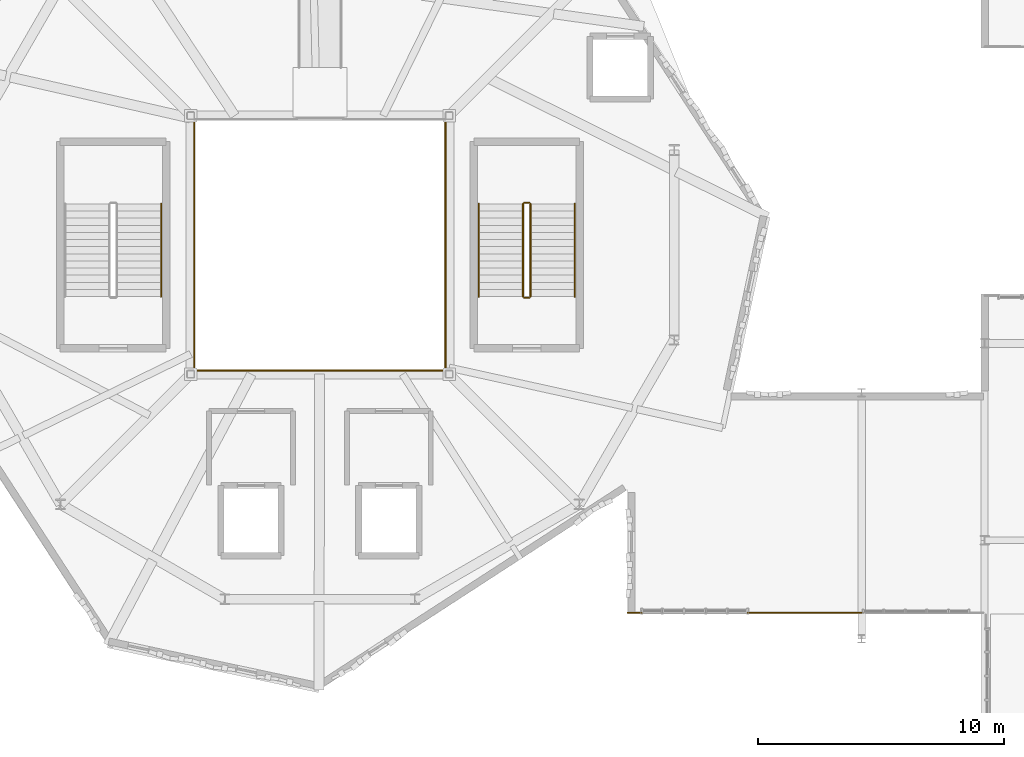
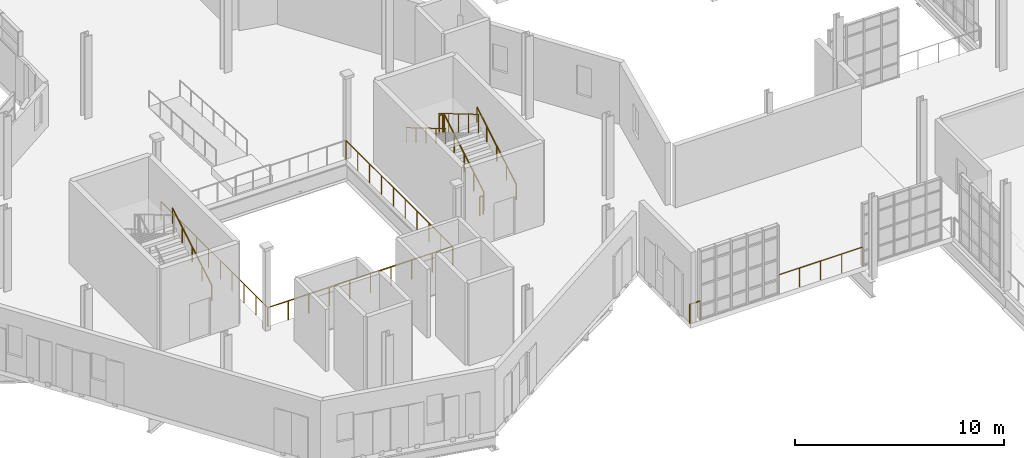
# One storey, part 113 of 118: 12 railings.
"""IFC4 building model written with IfcOpenShell, lengths in metres."""

from ifc_helpers import new_model, si_unit, direction, frame, origin, origin_2d, place, context, subcontext, project, spatial, circle, extrude, material, type_object, element, save


model = new_model("IFC4")

# Units and contexts
model_context = context("Model", 3, precision=1e-05, world=origin(), true_north=direction((0.0, 1.0)))
body_context = subcontext(model_context, "Body", "Model", "MODEL_VIEW")
ifc_project = project(units=[si_unit("LENGTHUNIT", "METRE"), si_unit("AREAUNIT", "SQUARE_METRE"), si_unit("VOLUMEUNIT", "CUBIC_METRE"), si_unit("PLANEANGLEUNIT", "RADIAN"), si_unit("MASSUNIT", "GRAM", prefix="KILO"), si_unit("THERMODYNAMICTEMPERATUREUNIT", "KELVIN"), si_unit("POWERUNIT", "WATT")], contexts=[model_context])

# Site, building, storey
site_placement = place(None, origin())
site = spatial("IfcSite", under=ifc_project, at=site_placement, CompositionType="ELEMENT")
building_placement = place(site_placement, origin())
building = spatial("IfcBuilding", under=site, at=building_placement, Name="Zelmaris Science Centre", CompositionType="ELEMENT")
storey_placement = place(building_placement, frame((0.0, 0.0, 15.60009765625)))
storey = spatial("IfcBuildingStorey", under=building, at=storey_placement, Name="L03", CompositionType="ELEMENT", Elevation=15.60009765625)

# Railings
ifc_material = material(Name="Architectural bronze alloy C28000")
railing_type_1 = type_object("IfcRailingType", Name="Balustrade GD-01 H1120", PredefinedType="BALUSTRADE", material=ifc_material)
railing_1_placement = place(storey_placement, frame((75.89990234375, 30.89990234375, 0.0)))
element("IfcRailing", 1, at=railing_1_placement, inside=storey, type_object=railing_type_1, Name="L03 Atrium void balustrade 31", PredefinedType="BALUSTRADE", context=body_context, shape_type="SweptSolid", body=[
    extrude(circle(Radius=0.02392578125, at=origin_2d()), frame((0.0, 0.0, 1.09619140625), z_axis=(1.0, 0.0, 0.0), x_axis=(0.0, 1.0, 0.0)), (0.0, 0.0, 1.0), 10.2001953125),
    extrude(circle(Radius=0.02099609375, at=origin_2d()), origin(), (0.0, 0.0, 1.0), 1.072021484375),
    extrude(circle(Radius=0.02099609375, at=origin_2d()), frame((1.13330078125, 0.0, 0.0)), (0.0, 0.0, 1.0), 1.072021484375),
    extrude(circle(Radius=0.02099609375, at=origin_2d()), frame((2.2666015625, 0.0, 0.0)), (0.0, 0.0, 1.0), 1.072021484375),
    extrude(circle(Radius=0.02099609375, at=origin_2d()), frame((3.400146484375, 0.0, 0.0)), (0.0, 0.0, 1.0), 1.072021484375),
    extrude(circle(Radius=0.02099609375, at=origin_2d()), frame((4.533447265625, 0.0, 0.0)), (0.0, 0.0, 1.0), 1.072021484375),
    extrude(circle(Radius=0.02099609375, at=origin_2d()), frame((5.666748046875, 0.0, 0.0)), (0.0, 0.0, 1.0), 1.072021484375),
    extrude(circle(Radius=0.02099609375, at=origin_2d()), frame((6.800048828125, 0.0, 0.0)), (0.0, 0.0, 1.0), 1.072021484375),
    extrude(circle(Radius=0.02099609375, at=origin_2d()), frame((7.93359375, 0.0, 0.0)), (0.0, 0.0, 1.0), 1.072021484375),
    extrude(circle(Radius=0.02099609375, at=origin_2d()), frame((9.06689453125, 0.0, 0.0)), (0.0, 0.0, 1.0), 1.072021484375),
    extrude(circle(Radius=0.02099609375, at=origin_2d()), frame((10.2001953125, 0.0, 0.0)), (0.0, 0.0, 1.0), 1.072021484375),
])
railing_2_placement = place(storey_placement, frame((86.10009765625, 30.89990234375, 0.0)))
element("IfcRailing", 2, at=railing_2_placement, inside=storey, type_object=railing_type_1, Name="L03 Atrium void balustrade 32", PredefinedType="BALUSTRADE", context=body_context, shape_type="SweptSolid", body=[
    extrude(circle(Radius=0.02392578125, at=origin_2d()), frame((0.0, 0.0, 1.09619140625), z_axis=(0.0, 1.0, 0.0), x_axis=(-1.0, 0.0, 0.0)), (0.0, 0.0, 1.0), 10.2001953125),
    extrude(circle(Radius=0.02099609375, at=origin_2d()), origin(), (0.0, 0.0, 1.0), 1.072021484375),
    extrude(circle(Radius=0.02099609375, at=origin_2d()), frame((0.0, 1.13330078125, 0.0)), (0.0, 0.0, 1.0), 1.072021484375),
    extrude(circle(Radius=0.02099609375, at=origin_2d()), frame((0.0, 2.2666015625, 0.0)), (0.0, 0.0, 1.0), 1.072021484375),
    extrude(circle(Radius=0.02099609375, at=origin_2d()), frame((0.0, 3.400146484375, 0.0)), (0.0, 0.0, 1.0), 1.072021484375),
    extrude(circle(Radius=0.02099609375, at=origin_2d()), frame((0.0, 4.533447265625, 0.0)), (0.0, 0.0, 1.0), 1.072021484375),
    extrude(circle(Radius=0.02099609375, at=origin_2d()), frame((0.0, 5.666748046875, 0.0)), (0.0, 0.0, 1.0), 1.072021484375),
    extrude(circle(Radius=0.02099609375, at=origin_2d()), frame((0.0, 6.800048828125, 0.0)), (0.0, 0.0, 1.0), 1.072021484375),
    extrude(circle(Radius=0.02099609375, at=origin_2d()), frame((0.0, 7.93359375, 0.0)), (0.0, 0.0, 1.0), 1.072021484375),
    extrude(circle(Radius=0.02099609375, at=origin_2d()), frame((0.0, 9.06689453125, 0.0)), (0.0, 0.0, 1.0), 1.072021484375),
    extrude(circle(Radius=0.02099609375, at=origin_2d()), frame((0.0, 10.2001953125, 0.0)), (0.0, 0.0, 1.0), 1.072021484375),
])
railing_3_placement = place(storey_placement, frame((75.89990234375, 41.10009765625, 0.0)))
element("IfcRailing", 3, at=railing_3_placement, inside=storey, type_object=railing_type_1, Name="L03 Atrium void balustrade 35", PredefinedType="BALUSTRADE", context=body_context, shape_type="SweptSolid", body=[
    extrude(circle(Radius=0.02392578125, at=origin_2d()), frame((0.0, 0.0, 1.09619140625), z_axis=(0.0, -1.0, 0.0), x_axis=(1.0, 0.0, 0.0)), (0.0, 0.0, 1.0), 10.2001953125),
    extrude(circle(Radius=0.02099609375, at=origin_2d()), origin(), (0.0, 0.0, 1.0), 1.072021484375),
    extrude(circle(Radius=0.02099609375, at=origin_2d()), frame((0.0, -1.13330078125, 0.0)), (0.0, 0.0, 1.0), 1.072021484375),
    extrude(circle(Radius=0.02099609375, at=origin_2d()), frame((0.0, -2.2666015625, 0.0)), (0.0, 0.0, 1.0), 1.072021484375),
    extrude(circle(Radius=0.02099609375, at=origin_2d()), frame((0.0, -3.400146484375, 0.0)), (0.0, 0.0, 1.0), 1.072021484375),
    extrude(circle(Radius=0.02099609375, at=origin_2d()), frame((0.0, -4.533447265625, 0.0)), (0.0, 0.0, 1.0), 1.072021484375),
    extrude(circle(Radius=0.02099609375, at=origin_2d()), frame((0.0, -5.666748046875, 0.0)), (0.0, 0.0, 1.0), 1.072021484375),
    extrude(circle(Radius=0.02099609375, at=origin_2d()), frame((0.0, -6.800048828125, 0.0)), (0.0, 0.0, 1.0), 1.072021484375),
    extrude(circle(Radius=0.02099609375, at=origin_2d()), frame((0.0, -7.93359375, 0.0)), (0.0, 0.0, 1.0), 1.072021484375),
    extrude(circle(Radius=0.02099609375, at=origin_2d()), frame((0.0, -9.06689453125, 0.0)), (0.0, 0.0, 1.0), 1.072021484375),
    extrude(circle(Radius=0.02099609375, at=origin_2d()), frame((0.0, -10.2001953125, 0.0)), (0.0, 0.0, 1.0), 1.072021484375),
])
railing_4_placement = place(storey_placement, frame((103.056640625, 21.06005859375, 0.0)))
element("IfcRailing", 4, at=railing_4_placement, inside=storey, type_object=railing_type_1, Name="L03 Perimeter safety balustrade 210", PredefinedType="BALUSTRADE", context=body_context, shape_type="SweptSolid", body=[
    extrude(circle(Radius=0.02392578125, at=origin_2d()), frame((0.0, 0.0, 1.09619140625), z_axis=(-1.0, 0.0, 0.0), x_axis=(0.0, -1.0, 0.0)), (0.0, 0.0, 1.0), 4.67333984375),
    extrude(circle(Radius=0.02099609375, at=origin_2d()), origin(), (0.0, 0.0, 1.0), 1.072021484375),
    extrude(circle(Radius=0.02099609375, at=origin_2d()), frame((-1.16845703125, 0.0, 0.0)), (0.0, 0.0, 1.0), 1.072021484375),
    extrude(circle(Radius=0.02099609375, at=origin_2d()), frame((-2.336669921875, 0.0, 0.0)), (0.0, 0.0, 1.0), 1.072021484375),
    extrude(circle(Radius=0.02099609375, at=origin_2d()), frame((-3.5048828125, 0.0, 0.0)), (0.0, 0.0, 1.0), 1.072021484375),
    extrude(circle(Radius=0.02099609375, at=origin_2d()), frame((-4.67333984375, 0.0, 0.0)), (0.0, 0.0, 1.0), 1.072021484375),
])
railing_5_placement = place(storey_placement, frame((94.070068359375, 21.06005859375, 0.0)))
element("IfcRailing", 5, at=railing_5_placement, inside=storey, type_object=railing_type_1, Name="L03 Perimeter safety balustrade 211", PredefinedType="BALUSTRADE", context=body_context, shape_type="SweptSolid", body=[
    extrude(circle(Radius=0.02392578125, at=origin_2d()), frame((0.0, 0.0, 1.09619140625), z_axis=(-1.0, 0.0, 0.0), x_axis=(0.0, -1.0, 0.0)), (0.0, 0.0, 1.0), 0.570068359375),
    extrude(circle(Radius=0.02099609375, at=origin_2d()), origin(), (0.0, 0.0, 1.0), 1.072021484375),
    extrude(circle(Radius=0.02099609375, at=origin_2d()), frame((-0.570068359375, 0.0, 0.0)), (0.0, 0.0, 1.0), 1.072021484375),
])
railing_6_placement = place(storey_placement, frame((89.550048828125, 33.89990234375, 0.17138671875)))
element("IfcRailing", 6, at=railing_6_placement, inside=storey, type_object=railing_type_1, Name="L03 ST-2 stair guard 1", PredefinedType="BALUSTRADE", context=body_context, shape_type="SweptSolid", body=[
    extrude(circle(Radius=0.02392578125, at=origin_2d()), frame((0.0, 0.0, 1.076171875), z_axis=(0.0, 0.860848830602, 0.508860777473), x_axis=(-1.0, 0.0, 0.0)), (0.0, 0.0, 1.0), 4.37939453125),
    extrude(circle(Radius=0.02099609375, at=origin_2d()), origin(), (0.0, 0.0, 1.0), 1.052001953125),
    extrude(circle(Radius=0.02099609375, at=origin_2d()), frame((0.0, 0.9423828125, 0.55712890625)), (0.0, 0.0, 1.0), 1.052001953125),
    extrude(circle(Radius=0.02099609375, at=origin_2d()), frame((0.0, 1.885009765625, 1.1142578125)), (0.0, 0.0, 1.0), 1.052001953125),
    extrude(circle(Radius=0.02099609375, at=origin_2d()), frame((0.0, 2.82763671875, 1.67138671875)), (0.0, 0.0, 1.0), 1.052001953125),
    extrude(circle(Radius=0.02099609375, at=origin_2d()), frame((0.0, 3.77001953125, 2.228515625)), (0.0, 0.0, 1.0), 1.052001953125),
])
railing_7_placement = place(storey_placement, frame((89.5, 37.719970703125, 2.39990234375)))
element("IfcRailing", 7, at=railing_7_placement, inside=storey, type_object=railing_type_1, Name="L03 ST-2 stair guard 2", PredefinedType="BALUSTRADE", context=body_context, shape_type="SweptSolid", body=[
    extrude(circle(Radius=0.02392578125, at=origin_2d()), frame((0.0, 0.0, 1.076171875), z_axis=(-1.0, 0.0, 0.0), x_axis=(0.0, -1.0, 0.0)), (0.0, 0.0, 1.0), 0.199951171875),
    extrude(circle(Radius=0.02099609375, at=origin_2d()), origin(), (0.0, 0.0, 1.0), 1.052001953125),
    extrude(circle(Radius=0.02099609375, at=origin_2d()), frame((-0.199951171875, 0.0, 0.0)), (0.0, 0.0, 1.0), 1.052001953125),
])
railing_8_placement = place(storey_placement, frame((89.25, 37.669921875, 2.5712890625)))
element("IfcRailing", 8, at=railing_8_placement, inside=storey, type_object=railing_type_1, Name="L03 ST-2 stair guard 3", PredefinedType="BALUSTRADE", context=body_context, shape_type="SweptSolid", body=[
    extrude(circle(Radius=0.02392578125, at=origin_2d()), frame((0.0, 0.0, 1.076171875), z_axis=(0.0, -0.860848830602, 0.508860777473), x_axis=(1.0, 0.0, 0.0)), (0.0, 0.0, 1.0), 4.37939453125),
    extrude(circle(Radius=0.02099609375, at=origin_2d()), origin(), (0.0, 0.0, 1.0), 1.052001953125),
    extrude(circle(Radius=0.02099609375, at=origin_2d()), frame((0.0, -0.9423828125, 0.55712890625)), (0.0, 0.0, 1.0), 1.052001953125),
    extrude(circle(Radius=0.02099609375, at=origin_2d()), frame((0.0, -1.885009765625, 1.1142578125)), (0.0, 0.0, 1.0), 1.052001953125),
    extrude(circle(Radius=0.02099609375, at=origin_2d()), frame((0.0, -2.82763671875, 1.67138671875)), (0.0, 0.0, 1.0), 1.052001953125),
    extrude(circle(Radius=0.02099609375, at=origin_2d()), frame((0.0, -3.77001953125, 2.228515625)), (0.0, 0.0, 1.0), 1.052001953125),
])
railing_9_placement = place(storey_placement, frame((89.5, 33.85009765625, 0.0)))
element("IfcRailing", 9, at=railing_9_placement, inside=storey, type_object=railing_type_1, Name="L03 ST-2 stair guard 4", PredefinedType="BALUSTRADE", context=body_context, shape_type="SweptSolid", body=[
    extrude(circle(Radius=0.02392578125, at=origin_2d()), frame((0.0, 0.0, 1.076171875), z_axis=(-1.0, 0.0, 0.0), x_axis=(0.0, -1.0, 0.0)), (0.0, 0.0, 1.0), 0.199951171875),
    extrude(circle(Radius=0.02099609375, at=origin_2d()), origin(), (0.0, 0.0, 1.0), 1.052001953125),
    extrude(circle(Radius=0.02099609375, at=origin_2d()), frame((-0.199951171875, 0.0, 0.0)), (0.0, 0.0, 1.0), 1.052001953125),
])
railing_type_2 = type_object("IfcRailingType", Name="Handrail HR-01 H900", PredefinedType="HANDRAIL", material=ifc_material)
for number, where, name in (
    (10, (74.550048828125, 33.89990234375, 0.17138671875), "L03 ST-1 stair handrail 1"),
    (11, (91.35009765625, 33.89990234375, 0.17138671875), "L03 ST-2 stair handrail 1"),
):
    element("IfcRailing", number, at=place(storey_placement, frame(where)), inside=storey, type_object=railing_type_2, Name=name, PredefinedType="HANDRAIL", context=body_context, shape_type="SweptSolid", body=[
        extrude(circle(Radius=0.02392578125, at=origin_2d()), frame((0.0, 0.0, 0.8759765625), z_axis=(0.0, 0.860848830602, 0.508860777473), x_axis=(-1.0, 0.0, 0.0)), (0.0, 0.0, 1.0), 4.37939453125),
        extrude(circle(Radius=0.02099609375, at=origin_2d()), origin(), (0.0, 0.0, 1.0), 0.851806640625),
        extrude(circle(Radius=0.02099609375, at=origin_2d()), frame((0.0, 0.9423828125, 0.55712890625)), (0.0, 0.0, 1.0), 0.851806640625),
        extrude(circle(Radius=0.02099609375, at=origin_2d()), frame((0.0, 1.885009765625, 1.1142578125)), (0.0, 0.0, 1.0), 0.851806640625),
        extrude(circle(Radius=0.02099609375, at=origin_2d()), frame((0.0, 2.82763671875, 1.67138671875)), (0.0, 0.0, 1.0), 0.851806640625),
        extrude(circle(Radius=0.02099609375, at=origin_2d()), frame((0.0, 3.77001953125, 2.228515625)), (0.0, 0.0, 1.0), 0.851806640625),
    ])
railing_10_placement = place(storey_placement, frame((87.449951171875, 37.669921875, 2.5712890625)))
element("IfcRailing", 12, at=railing_10_placement, inside=storey, type_object=railing_type_2, Name="L03 ST-2 stair handrail 2", PredefinedType="HANDRAIL", context=body_context, shape_type="SweptSolid", body=[
    extrude(circle(Radius=0.02392578125, at=origin_2d()), frame((0.0, 0.0, 0.8759765625), z_axis=(0.0, -0.860848830602, 0.508860777473), x_axis=(1.0, 0.0, 0.0)), (0.0, 0.0, 1.0), 4.37939453125),
    extrude(circle(Radius=0.02099609375, at=origin_2d()), origin(), (0.0, 0.0, 1.0), 0.851806640625),
    extrude(circle(Radius=0.02099609375, at=origin_2d()), frame((0.0, -0.9423828125, 0.55712890625)), (0.0, 0.0, 1.0), 0.851806640625),
    extrude(circle(Radius=0.02099609375, at=origin_2d()), frame((0.0, -1.885009765625, 1.1142578125)), (0.0, 0.0, 1.0), 0.851806640625),
    extrude(circle(Radius=0.02099609375, at=origin_2d()), frame((0.0, -2.82763671875, 1.67138671875)), (0.0, 0.0, 1.0), 0.851806640625),
    extrude(circle(Radius=0.02099609375, at=origin_2d()), frame((0.0, -3.77001953125, 2.228515625)), (0.0, 0.0, 1.0), 0.851806640625),
])

save(model, "model.ifc")
